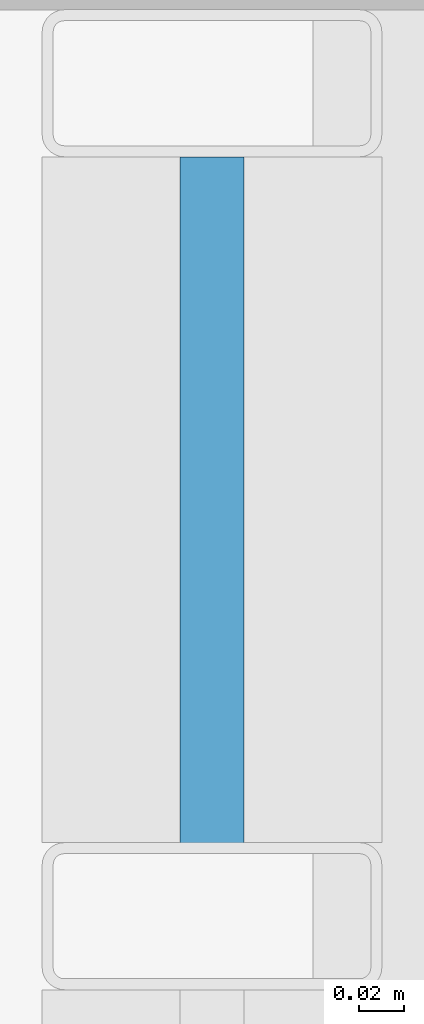
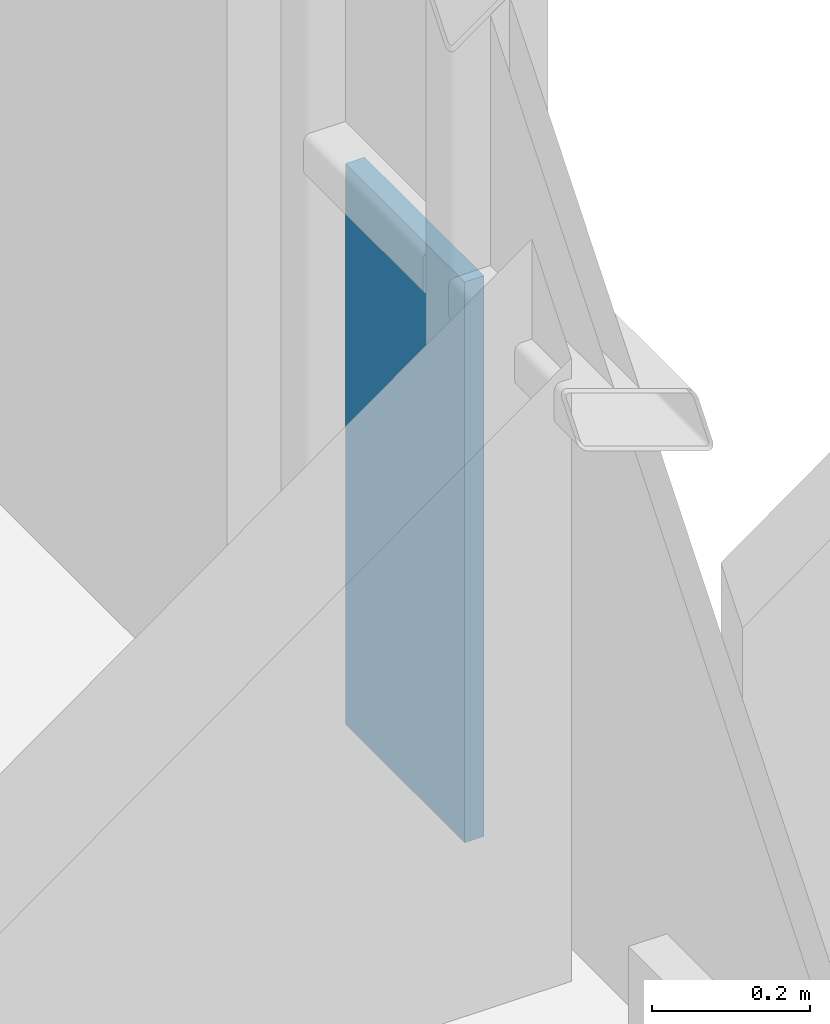
# One storey, part 26 of 39: 1 plate, 1 element without a shape of its own.
"""IFC4 building model written with IfcOpenShell, lengths in metres."""

from ifc_helpers import new_model, si_unit, direction, frame, origin, origin_2d, place, context, subcontext, project, spatial, rectangle, extrude, material, layer, layer_set, type_object, element, aggregate, save


model = new_model("IFC4")

# Units and contexts
model_context = context("Model", 3, precision=1e-05, world=origin(), true_north=direction((0.0, 1.0)))
body_context = subcontext(model_context, "Body", "Model", "MODEL_VIEW")
ifc_project = project(units=[si_unit("LENGTHUNIT", "METRE"), si_unit("AREAUNIT", "SQUARE_METRE"), si_unit("VOLUMEUNIT", "CUBIC_METRE"), si_unit("PLANEANGLEUNIT", "RADIAN"), si_unit("MASSUNIT", "GRAM", prefix="KILO")], contexts=[model_context])

# Site, building, storey
site_placement = place(None, origin())
site = spatial("IfcSite", under=ifc_project, at=site_placement, CompositionType="ELEMENT")
building_placement = place(site_placement, origin())
building = spatial("IfcBuilding", under=site, at=building_placement, Name="Brevholm Reach", CompositionType="ELEMENT")
storey_placement = place(building_placement, frame((0.0, 0.0, 34.199951171875)))
storey = spatial("IfcBuildingStorey", under=building, at=storey_placement, Name="L08", CompositionType="ELEMENT", Elevation=34.199951171875)

# Curtain wall, plate
ifc_material_1 = material(Name="Dark Anodised Aluminium 6063-T6 and Solar-Control Glass", Category="aluminium")
ifc_layer_1 = layer(ifc_material_1, 0.14990234375)
ifc_layer_set_1 = layer_set([ifc_layer_1], Name="Dark Anodised Aluminium 6063-T6 and Solar-Control Glass")
curtain_wall_type = type_object("IfcCurtainWallType", Name="CW-01", PredefinedType="NOTDEFINED", material=ifc_layer_set_1)
curtain_wall_placement = place(storey_placement, origin())
curtain_wall = element("IfcCurtainWall", 1, at=curtain_wall_placement, inside=storey, type_object=curtain_wall_type, Name="L08 Curtain Wall CW-01", PredefinedType="NOTDEFINED")
ifc_material_2 = material(Name="Dark Solar-Control Double-Glazed IGU Glass", Category="glass")
ifc_layer_2 = layer(ifc_material_2, 0.028076171875)
ifc_layer_set_2 = layer_set([ifc_layer_2], Name="Dark Solar-Control Double-Glazed IGU Glass")
plate_type = type_object("IfcPlateType", Name="CWP-GLZ-28", PredefinedType="CURTAIN_PANEL", material=ifc_layer_set_2)
plate_placement = place(storey_placement, frame((59.85009765625, 22.733642578125, 0.0), z_axis=(0.0, 0.0, 1.0), x_axis=(0.0, 1.0, 0.0)))
plate = element("IfcPlate", 2, at=plate_placement, type_object=plate_type, Name="CP-01 Glazing Panel 5.1", PredefinedType="CURTAIN_PANEL", context=body_context, shape_type="SweptSolid", body=[
    extrude(rectangle(XDim=0.302490234375, YDim=0.028076171875, at=origin_2d()), origin(), (0.0, 0.0, 1.0), 0.867431640625),
])
aggregate(curtain_wall, [plate])

save(model, "model.ifc")
